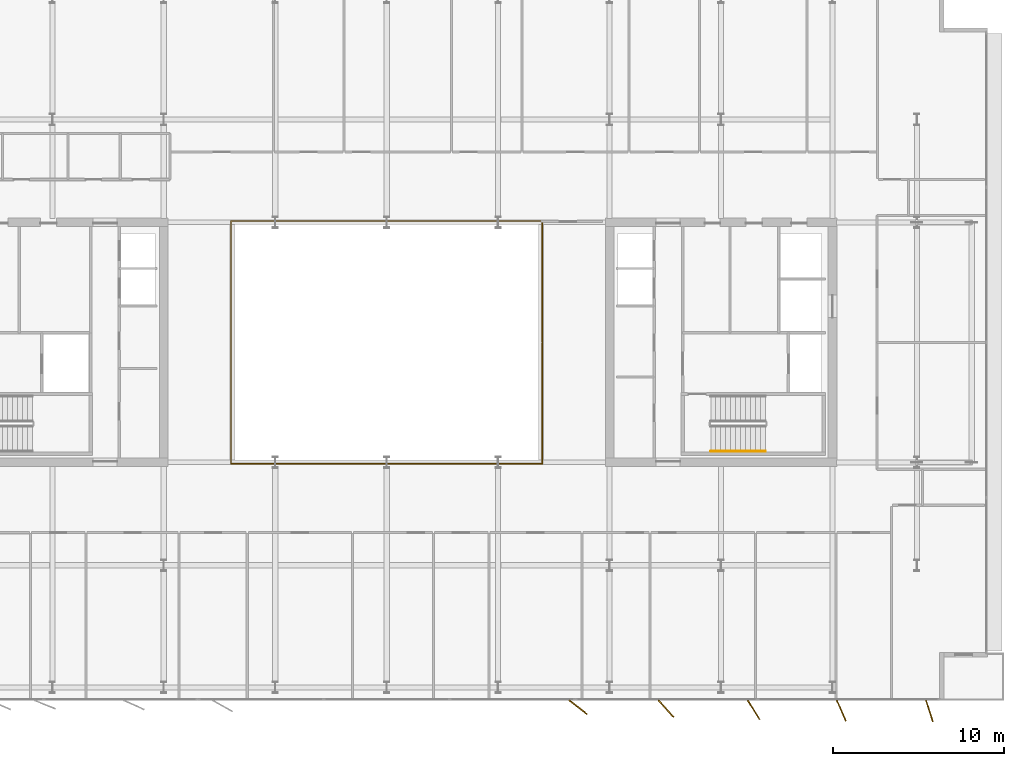
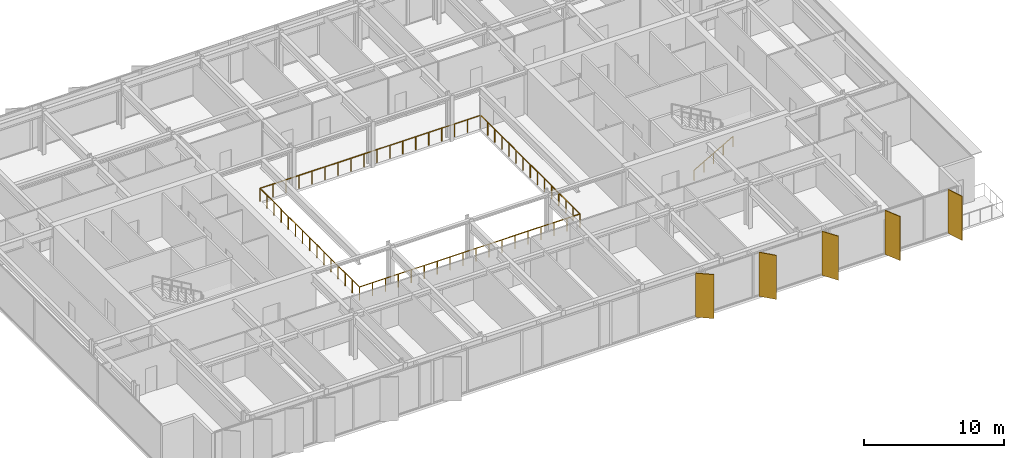
# One storey, part 18 of 20: 5 shading devices, 3 railings.
"""IFC4 building model written with IfcOpenShell, lengths in metres."""

from ifc_helpers import new_model, si_unit, direction, frame, origin, origin_2d, place, context, subcontext, project, spatial, rectangle, circle, extrude, material, layer, layer_set, type_object, element, save


model = new_model("IFC4")

# Units and contexts
model_context = context("Model", 3, precision=1e-05, world=origin(), true_north=direction((0.0, 1.0)))
body_context = subcontext(model_context, "Body", "Model", "MODEL_VIEW")
ifc_project = project(units=[si_unit("LENGTHUNIT", "METRE"), si_unit("AREAUNIT", "SQUARE_METRE"), si_unit("VOLUMEUNIT", "CUBIC_METRE"), si_unit("PLANEANGLEUNIT", "RADIAN"), si_unit("MASSUNIT", "GRAM", prefix="KILO")], contexts=[model_context])

# Site, building, storey
site_placement = place(None, origin())
site = spatial("IfcSite", under=ifc_project, at=site_placement, CompositionType="ELEMENT")
building_placement = place(site_placement, origin())
building = spatial("IfcBuilding", under=site, at=building_placement, Name="Putna Gate Headquarters", CompositionType="ELEMENT")
storey_placement = place(building_placement, frame((0.0, 0.0, 302.39990234375)))
storey = spatial("IfcBuildingStorey", under=building, at=storey_placement, Name="L76", CompositionType="ELEMENT", Elevation=302.39990234375)

# Railings
ifc_material_1 = material(Name="Anodised bronze and laminated glass atrium balustrade", Category="glass")
railing_type_1 = type_object("IfcRailingType", Name="RAIL-ATRIUM-GUARD-1150", PredefinedType="GUARDRAIL", material=ifc_material_1)
railing_1_placement = place(storey_placement, frame((29.919921875, 25.969970703125, 0.0)))
element("IfcRailing", 1, at=railing_1_placement, inside=storey, type_object=railing_type_1, Name="L76 Central Atrium Glazed Balustrade South", PredefinedType="GUARDRAIL", context=body_context, shape_type="SweptSolid", body=[
    extrude(circle(Radius=0.02392578125, at=origin_2d()), frame((0.0, 0.0, 1.1259765625), z_axis=(0.0, -1.0, 0.0), x_axis=(1.0, 0.0, 0.0)), (0.0, 0.0, 1.0), 7.050048828125),
    extrude(circle(Radius=0.02392578125, at=origin_2d()), frame((0.0, -7.050048828125, 1.1259765625), z_axis=(1.0, 0.0, 0.0), x_axis=(0.0, 1.0, 0.0)), (0.0, 0.0, 1.0), 18.16015625),
    extrude(circle(Radius=0.02392578125, at=origin_2d()), frame((18.16015625, -7.050048828125, 1.1259765625), z_axis=(0.0, 1.0, 0.0), x_axis=(-1.0, 0.0, 0.0)), (0.0, 0.0, 1.0), 7.050048828125),
    extrude(circle(Radius=0.02099609375, at=origin_2d()), origin(), (0.0, 0.0, 1.0), 1.101806640625),
    extrude(circle(Radius=0.02099609375, at=origin_2d()), frame((0.0, -1.007080078125, 0.0)), (0.0, 0.0, 1.0), 1.101806640625),
    extrude(circle(Radius=0.02099609375, at=origin_2d()), frame((0.0, -2.014404296875, 0.0)), (0.0, 0.0, 1.0), 1.101806640625),
    extrude(circle(Radius=0.02099609375, at=origin_2d()), frame((0.0, -3.021484375, 0.0)), (0.0, 0.0, 1.0), 1.101806640625),
    extrude(circle(Radius=0.02099609375, at=origin_2d()), frame((0.0, -4.028564453125, 0.0)), (0.0, 0.0, 1.0), 1.101806640625),
    extrude(circle(Radius=0.02099609375, at=origin_2d()), frame((0.0, -5.03564453125, 0.0)), (0.0, 0.0, 1.0), 1.101806640625),
    extrude(circle(Radius=0.02099609375, at=origin_2d()), frame((0.0, -6.04296875, 0.0)), (0.0, 0.0, 1.0), 1.101806640625),
    extrude(circle(Radius=0.02099609375, at=origin_2d()), frame((0.0, -7.050048828125, 0.0)), (0.0, 0.0, 1.0), 1.101806640625),
    extrude(circle(Radius=0.02099609375, at=origin_2d()), frame((1.068359375, -7.050048828125, 0.0)), (0.0, 0.0, 1.0), 1.101806640625),
    extrude(circle(Radius=0.02099609375, at=origin_2d()), frame((2.136474609375, -7.050048828125, 0.0)), (0.0, 0.0, 1.0), 1.101806640625),
    extrude(circle(Radius=0.02099609375, at=origin_2d()), frame((3.204833984375, -7.050048828125, 0.0)), (0.0, 0.0, 1.0), 1.101806640625),
    extrude(circle(Radius=0.02099609375, at=origin_2d()), frame((4.27294921875, -7.050048828125, 0.0)), (0.0, 0.0, 1.0), 1.101806640625),
    extrude(circle(Radius=0.02099609375, at=origin_2d()), frame((5.34130859375, -7.050048828125, 0.0)), (0.0, 0.0, 1.0), 1.101806640625),
    extrude(circle(Radius=0.02099609375, at=origin_2d()), frame((6.409423828125, -7.050048828125, 0.0)), (0.0, 0.0, 1.0), 1.101806640625),
    extrude(circle(Radius=0.02099609375, at=origin_2d()), frame((7.477783203125, -7.050048828125, 0.0)), (0.0, 0.0, 1.0), 1.101806640625),
    extrude(circle(Radius=0.02099609375, at=origin_2d()), frame((8.5458984375, -7.050048828125, 0.0)), (0.0, 0.0, 1.0), 1.101806640625),
    extrude(circle(Radius=0.02099609375, at=origin_2d()), frame((9.6142578125, -7.050048828125, 0.0)), (0.0, 0.0, 1.0), 1.101806640625),
    extrude(circle(Radius=0.02099609375, at=origin_2d()), frame((10.682373046875, -7.050048828125, 0.0)), (0.0, 0.0, 1.0), 1.101806640625),
    extrude(circle(Radius=0.02099609375, at=origin_2d()), frame((11.750732421875, -7.050048828125, 0.0)), (0.0, 0.0, 1.0), 1.101806640625),
    extrude(circle(Radius=0.02099609375, at=origin_2d()), frame((12.81884765625, -7.050048828125, 0.0)), (0.0, 0.0, 1.0), 1.101806640625),
    extrude(circle(Radius=0.02099609375, at=origin_2d()), frame((13.88720703125, -7.050048828125, 0.0)), (0.0, 0.0, 1.0), 1.101806640625),
    extrude(circle(Radius=0.02099609375, at=origin_2d()), frame((14.955322265625, -7.050048828125, 0.0)), (0.0, 0.0, 1.0), 1.101806640625),
    extrude(circle(Radius=0.02099609375, at=origin_2d()), frame((16.023681640625, -7.050048828125, 0.0)), (0.0, 0.0, 1.0), 1.101806640625),
    extrude(circle(Radius=0.02099609375, at=origin_2d()), frame((17.091796875, -7.050048828125, 0.0)), (0.0, 0.0, 1.0), 1.101806640625),
    extrude(circle(Radius=0.02099609375, at=origin_2d()), frame((18.16015625, -7.050048828125, 0.0)), (0.0, 0.0, 1.0), 1.101806640625),
    extrude(circle(Radius=0.02099609375, at=origin_2d()), frame((18.16015625, -6.04296875, 0.0)), (0.0, 0.0, 1.0), 1.101806640625),
    extrude(circle(Radius=0.02099609375, at=origin_2d()), frame((18.16015625, -5.03564453125, 0.0)), (0.0, 0.0, 1.0), 1.101806640625),
    extrude(circle(Radius=0.02099609375, at=origin_2d()), frame((18.16015625, -4.028564453125, 0.0)), (0.0, 0.0, 1.0), 1.101806640625),
    extrude(circle(Radius=0.02099609375, at=origin_2d()), frame((18.16015625, -3.021484375, 0.0)), (0.0, 0.0, 1.0), 1.101806640625),
    extrude(circle(Radius=0.02099609375, at=origin_2d()), frame((18.16015625, -2.014404296875, 0.0)), (0.0, 0.0, 1.0), 1.101806640625),
    extrude(circle(Radius=0.02099609375, at=origin_2d()), frame((18.16015625, -1.007080078125, 0.0)), (0.0, 0.0, 1.0), 1.101806640625),
    extrude(circle(Radius=0.02099609375, at=origin_2d()), frame((18.16015625, 0.0, 0.0)), (0.0, 0.0, 1.0), 1.101806640625),
])
railing_2_placement = place(storey_placement, frame((48.080078125, 26.030029296875, 0.0)))
element("IfcRailing", 2, at=railing_2_placement, inside=storey, type_object=railing_type_1, Name="L76 Central Atrium Glazed Balustrade North", PredefinedType="GUARDRAIL", context=body_context, shape_type="SweptSolid", body=[
    extrude(circle(Radius=0.02392578125, at=origin_2d()), frame((0.0, 0.0, 1.1259765625), z_axis=(0.0, 1.0, 0.0), x_axis=(-1.0, 0.0, 0.0)), (0.0, 0.0, 1.0), 7.050048828125),
    extrude(circle(Radius=0.02392578125, at=origin_2d()), frame((0.0, 7.050048828125, 1.1259765625), z_axis=(-1.0, 0.0, 0.0), x_axis=(0.0, -1.0, 0.0)), (0.0, 0.0, 1.0), 18.16015625),
    extrude(circle(Radius=0.02392578125, at=origin_2d()), frame((-18.16015625, 7.050048828125, 1.1259765625), z_axis=(0.0, -1.0, 0.0), x_axis=(1.0, 0.0, 0.0)), (0.0, 0.0, 1.0), 7.050048828125),
    extrude(circle(Radius=0.02099609375, at=origin_2d()), origin(), (0.0, 0.0, 1.0), 1.101806640625),
    extrude(circle(Radius=0.02099609375, at=origin_2d()), frame((0.0, 1.007080078125, 0.0)), (0.0, 0.0, 1.0), 1.101806640625),
    extrude(circle(Radius=0.02099609375, at=origin_2d()), frame((0.0, 2.014404296875, 0.0)), (0.0, 0.0, 1.0), 1.101806640625),
    extrude(circle(Radius=0.02099609375, at=origin_2d()), frame((0.0, 3.021484375, 0.0)), (0.0, 0.0, 1.0), 1.101806640625),
    extrude(circle(Radius=0.02099609375, at=origin_2d()), frame((0.0, 4.028564453125, 0.0)), (0.0, 0.0, 1.0), 1.101806640625),
    extrude(circle(Radius=0.02099609375, at=origin_2d()), frame((0.0, 5.03564453125, 0.0)), (0.0, 0.0, 1.0), 1.101806640625),
    extrude(circle(Radius=0.02099609375, at=origin_2d()), frame((0.0, 6.04296875, 0.0)), (0.0, 0.0, 1.0), 1.101806640625),
    extrude(circle(Radius=0.02099609375, at=origin_2d()), frame((0.0, 7.050048828125, 0.0)), (0.0, 0.0, 1.0), 1.101806640625),
    extrude(circle(Radius=0.02099609375, at=origin_2d()), frame((-1.068359375, 7.050048828125, 0.0)), (0.0, 0.0, 1.0), 1.101806640625),
    extrude(circle(Radius=0.02099609375, at=origin_2d()), frame((-2.136474609375, 7.050048828125, 0.0)), (0.0, 0.0, 1.0), 1.101806640625),
    extrude(circle(Radius=0.02099609375, at=origin_2d()), frame((-3.204833984375, 7.050048828125, 0.0)), (0.0, 0.0, 1.0), 1.101806640625),
    extrude(circle(Radius=0.02099609375, at=origin_2d()), frame((-4.27294921875, 7.050048828125, 0.0)), (0.0, 0.0, 1.0), 1.101806640625),
    extrude(circle(Radius=0.02099609375, at=origin_2d()), frame((-5.34130859375, 7.050048828125, 0.0)), (0.0, 0.0, 1.0), 1.101806640625),
    extrude(circle(Radius=0.02099609375, at=origin_2d()), frame((-6.409423828125, 7.050048828125, 0.0)), (0.0, 0.0, 1.0), 1.101806640625),
    extrude(circle(Radius=0.02099609375, at=origin_2d()), frame((-7.477783203125, 7.050048828125, 0.0)), (0.0, 0.0, 1.0), 1.101806640625),
    extrude(circle(Radius=0.02099609375, at=origin_2d()), frame((-8.5458984375, 7.050048828125, 0.0)), (0.0, 0.0, 1.0), 1.101806640625),
    extrude(circle(Radius=0.02099609375, at=origin_2d()), frame((-9.6142578125, 7.050048828125, 0.0)), (0.0, 0.0, 1.0), 1.101806640625),
    extrude(circle(Radius=0.02099609375, at=origin_2d()), frame((-10.682373046875, 7.050048828125, 0.0)), (0.0, 0.0, 1.0), 1.101806640625),
    extrude(circle(Radius=0.02099609375, at=origin_2d()), frame((-11.750732421875, 7.050048828125, 0.0)), (0.0, 0.0, 1.0), 1.101806640625),
    extrude(circle(Radius=0.02099609375, at=origin_2d()), frame((-12.81884765625, 7.050048828125, 0.0)), (0.0, 0.0, 1.0), 1.101806640625),
    extrude(circle(Radius=0.02099609375, at=origin_2d()), frame((-13.88720703125, 7.050048828125, 0.0)), (0.0, 0.0, 1.0), 1.101806640625),
    extrude(circle(Radius=0.02099609375, at=origin_2d()), frame((-14.955322265625, 7.050048828125, 0.0)), (0.0, 0.0, 1.0), 1.101806640625),
    extrude(circle(Radius=0.02099609375, at=origin_2d()), frame((-16.023681640625, 7.050048828125, 0.0)), (0.0, 0.0, 1.0), 1.101806640625),
    extrude(circle(Radius=0.02099609375, at=origin_2d()), frame((-17.091796875, 7.050048828125, 0.0)), (0.0, 0.0, 1.0), 1.101806640625),
    extrude(circle(Radius=0.02099609375, at=origin_2d()), frame((-18.16015625, 7.050048828125, 0.0)), (0.0, 0.0, 1.0), 1.101806640625),
    extrude(circle(Radius=0.02099609375, at=origin_2d()), frame((-18.16015625, 6.04296875, 0.0)), (0.0, 0.0, 1.0), 1.101806640625),
    extrude(circle(Radius=0.02099609375, at=origin_2d()), frame((-18.16015625, 5.03564453125, 0.0)), (0.0, 0.0, 1.0), 1.101806640625),
    extrude(circle(Radius=0.02099609375, at=origin_2d()), frame((-18.16015625, 4.028564453125, 0.0)), (0.0, 0.0, 1.0), 1.101806640625),
    extrude(circle(Radius=0.02099609375, at=origin_2d()), frame((-18.16015625, 3.021484375, 0.0)), (0.0, 0.0, 1.0), 1.101806640625),
    extrude(circle(Radius=0.02099609375, at=origin_2d()), frame((-18.16015625, 2.014404296875, 0.0)), (0.0, 0.0, 1.0), 1.101806640625),
    extrude(circle(Radius=0.02099609375, at=origin_2d()), frame((-18.16015625, 1.007080078125, 0.0)), (0.0, 0.0, 1.0), 1.101806640625),
    extrude(circle(Radius=0.02099609375, at=origin_2d()), frame((-18.16015625, 0.0, 0.0)), (0.0, 0.0, 1.0), 1.101806640625),
])
ifc_material_2 = material(Name="Brushed stainless steel handrail", Category="steel")
railing_type_2 = type_object("IfcRailingType", Name="RAIL-STAIR-HAND-900", PredefinedType="HANDRAIL", material=ifc_material_2)
railing_3_placement = place(storey_placement, frame((57.89990234375, 19.64990234375, 0.166748046875)))
element("IfcRailing", 3, at=railing_3_placement, inside=storey, type_object=railing_type_2, Name="L76 ST2 stair handrail 1", PredefinedType="HANDRAIL", context=body_context, shape_type="SweptSolid", body=[
    extrude(circle(Radius=0.02392578125, at=origin_2d()), frame((0.0, 0.0, 0.8759765625), z_axis=(0.8670360191, 0.0, 0.498245463184), x_axis=(0.0, 1.0, 0.0)), (0.0, 0.0, 1.0), 3.679443359375),
    extrude(circle(Radius=0.02099609375, at=origin_2d()), origin(), (0.0, 0.0, 1.0), 0.851806640625),
    extrude(circle(Radius=0.02099609375, at=origin_2d()), frame((0.797607421875, 0.0, 0.458251953125)), (0.0, 0.0, 1.0), 0.851806640625),
    extrude(circle(Radius=0.02099609375, at=origin_2d()), frame((1.59521484375, 0.0, 0.91650390625)), (0.0, 0.0, 1.0), 0.851806640625),
    extrude(circle(Radius=0.02099609375, at=origin_2d()), frame((2.392578125, 0.0, 1.375)), (0.0, 0.0, 1.0), 0.851806640625),
    extrude(circle(Radius=0.02099609375, at=origin_2d()), frame((3.190185546875, 0.0, 1.833251953125)), (0.0, 0.0, 1.0), 0.851806640625),
])

# Shading devices
ifc_material_3 = material(Name="Anodised architectural bronze aluminium fin", Category="aluminium")
ifc_layer = layer(ifc_material_3, 0.06494140625)
ifc_layer_set = layer_set([ifc_layer], Name="Anodised architectural bronze aluminium fin")
shading_device_type = type_object("IfcShadingDeviceType", Name="SHADE-BRONZE-FIN-1320", PredefinedType="USERDEFINED", material=ifc_layer_set)
for number, where, z_axis, x_axis, name in (
    (4, (50.169677734375, 4.71826171875, -0.02001953125), (0.0, 0.0, 1.0), (0.787473187632, -0.616348909921, 0.0), "L76 Bronze Vertical Shading Fin S7"),
    (5, (55.29150390625, 4.634521484375, -0.02001953125), (0.0, 0.0, 1.0), (0.669130606359, -0.743144825477, 0.0), "L76 Bronze Vertical Shading Fin S8"),
    (6, (60.400146484375, 4.565673828125, -0.02001953125), (0.0, 0.0, 1.0), (0.530659123936, -0.847585331506, 0.0), "L76 Bronze Vertical Shading Fin S9"),
    (7, (65.514404296875, 4.520263671875, -0.02001953125), (0.0, 0.0, 1.0), (0.400668879095, -0.916222925562, 0.0), "L76 Bronze Vertical Shading Fin S10"),
    (8, (70.65380859375, 4.497314453125, -0.02001953125), (0.0, 0.0, 1.0), (0.308684994204, -0.951164325631, 0.0), "L76 Bronze Vertical Shading Fin S11"),
):
    element("IfcShadingDevice", number, at=place(storey_placement, frame(where, z_axis=z_axis, x_axis=x_axis)), inside=storey, type_object=shading_device_type, Name=name, ObjectType="FIN", PredefinedType="USERDEFINED", context=body_context, shape_type="SweptSolid", body=[
        extrude(rectangle(XDim=1.320068359375, YDim=0.06494140625, at=origin_2d()), origin(), (0.0, 0.0, 1.0), 3.827880859375),
    ])

save(model, "model.ifc")
